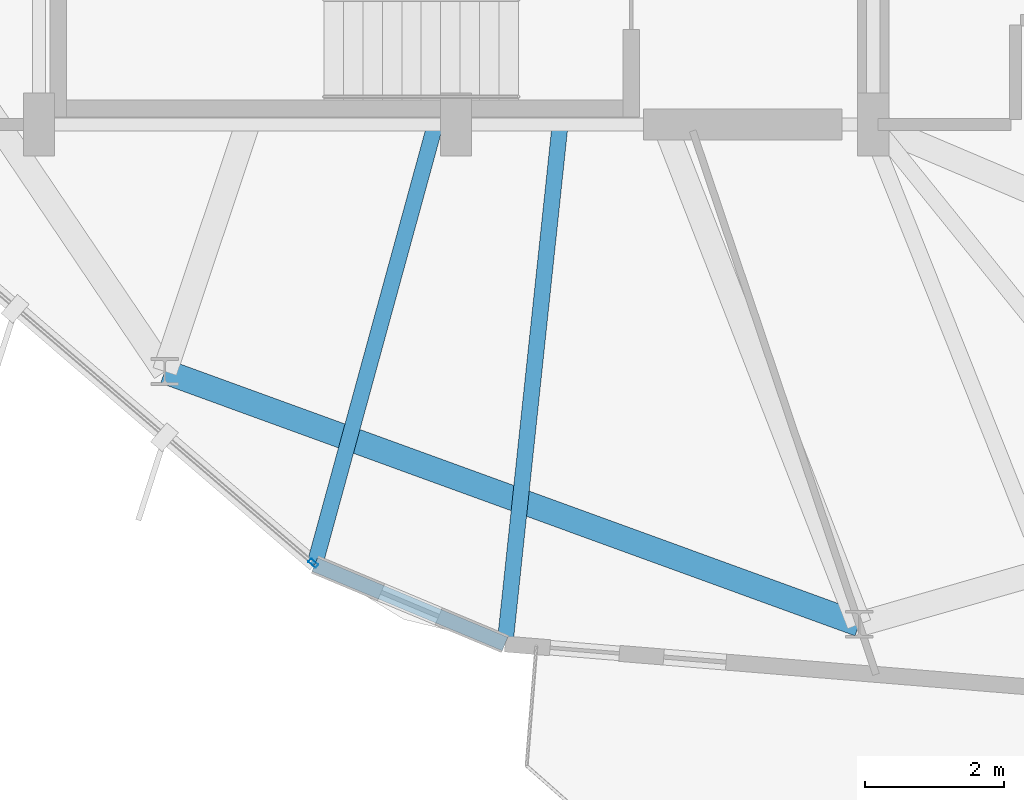
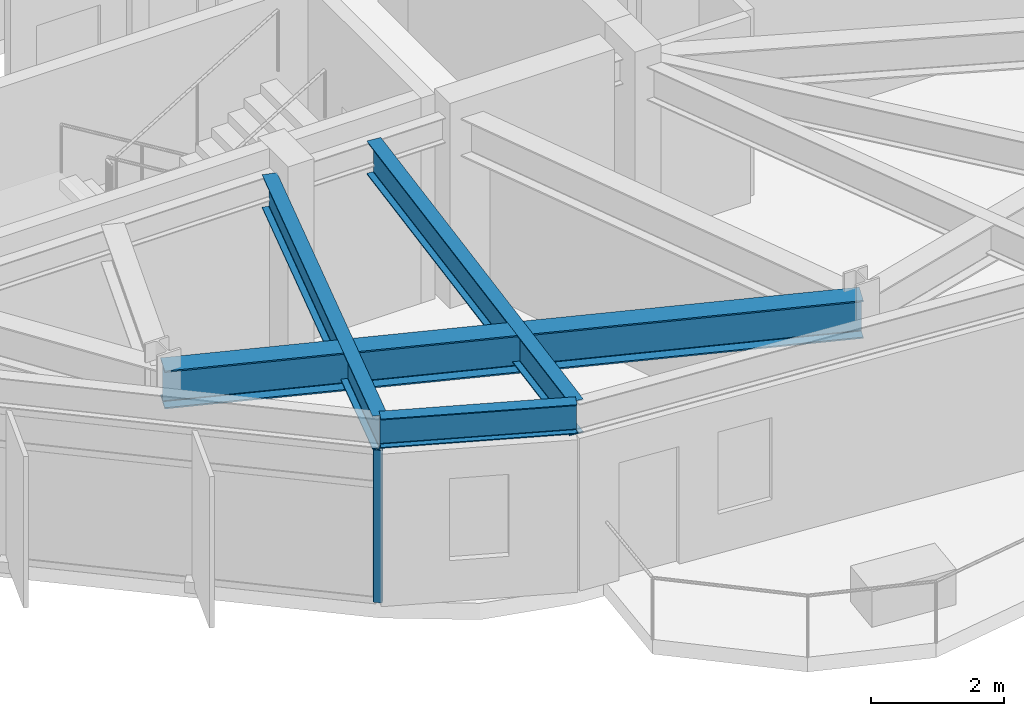
# One storey, part 2 of 23: 4 beams, 1 member, 1 element without a shape of its own.
"""IFC4 building model written with IfcOpenShell, lengths in metres."""

import ifcopenshell
import ifcopenshell.guid

model = None  # the IFC model being written
_history = None  # IfcOwnerHistory: only IFC2X3 demands one
_inside = {}  # id of a spatial element -> (the spatial element, [elements in it])
_under = {}  # id of a project, library or spatial element -> (it, [spatial elements below it])
_declared = {}  # id of a project -> (the project, [libraries it declares])
_typed = {}  # id of a type object -> (the type object, [elements of that type])
_made_of = {}  # id of a material, layer set ... -> (it, [elements and type objects made of it])


def new_model(schema):
    """Start an empty IFC model of exactly this schema.

    Asked for "IFC4X3", IfcOpenShell would pick the latest addendum, in which some entities
    have other attributes; the version numbers below select the first issue.
    IFC2X3 requires an IfcOwnerHistory on every rooted entity: one is made here for all.
    """
    global model, _history
    if schema == "IFC4X3":
        model = ifcopenshell.file(schema_version=(4, 3, 0, 0))
    else:
        model = ifcopenshell.file(schema=schema)
    _inside.clear()
    _under.clear()
    _declared.clear()
    _typed.clear()
    _made_of.clear()
    _history = None
    if model.schema == "IFC2X3":
        org = make("IfcOrganization", Name="unknown")
        user = make(
            "IfcPersonAndOrganization",
            ThePerson=make("IfcPerson", FamilyName="unknown"),
            TheOrganization=org,
        )
        app = make(
            "IfcApplication",
            ApplicationDeveloper=org,
            Version="unknown",
            ApplicationFullName="unknown",
            ApplicationIdentifier="unknown",
        )
        _history = make(
            "IfcOwnerHistory",
            OwningUser=user,
            OwningApplication=app,
            ChangeAction="ADDED",
            CreationDate=0,
        )
    return model


def make(cls, **values):
    """One entity of the class cls with the attributes given. An attribute that is None is left unset."""
    return model.create_entity(
        cls, **{name: value for name, value in values.items() if value is not None}
    )


def rooted(cls, **values):
    """An entity with a GlobalId (a new one), such as an element, a storey or a relation."""
    return make(cls, GlobalId=ifcopenshell.guid.new(), OwnerHistory=_history, **values)


def si_unit(unit_type, name, prefix=None):
    """IfcSIUnit, for example si_unit("LENGTHUNIT", "METRE", prefix="MILLI")."""
    return make("IfcSIUnit", UnitType=unit_type, Prefix=prefix, Name=name)


def assignment(units):
    """IfcUnitAssignment: the units of a project."""
    return None if units is None else make("IfcUnitAssignment", Units=units)


def point(xyz):
    """IfcCartesianPoint."""
    return None if xyz is None else make("IfcCartesianPoint", Coordinates=xyz)


def direction(xyz):
    """IfcDirection."""
    return None if xyz is None else make("IfcDirection", DirectionRatios=xyz)


def frame(location, z_axis=None, x_axis=None):
    """IfcAxis2Placement3D, a coordinate frame: its origin and axes. An axis left out is left unset."""
    return make(
        "IfcAxis2Placement3D",
        Location=point(location),
        Axis=direction(z_axis),
        RefDirection=direction(x_axis),
    )


def frame_2d(location, x_axis=None):
    """IfcAxis2Placement2D, a coordinate frame in the plane: its origin and x axis."""
    return make(
        "IfcAxis2Placement2D", Location=point(location), RefDirection=direction(x_axis)
    )


def origin():
    """The frame at (0, 0, 0) with its axes left unset."""
    return frame((0.0, 0.0, 0.0))


def origin_2d():
    """The frame at (0, 0) in the plane with its x axis left unset."""
    return frame_2d((0.0, 0.0))


def place(relative_to, where):
    """IfcLocalPlacement: puts the frame where relative to a parent placement (None: the world)."""
    return make(
        "IfcLocalPlacement", PlacementRelTo=relative_to, RelativePlacement=where
    )


def context(
    kind, dimensions, precision=None, world=None, true_north=None, identifier=None
):
    """IfcGeometricRepresentationContext, for example the 3D "Model" context."""
    return make(
        "IfcGeometricRepresentationContext",
        ContextIdentifier=identifier,
        ContextType=kind,
        CoordinateSpaceDimension=dimensions,
        Precision=precision,
        WorldCoordinateSystem=world,
        TrueNorth=true_north,
    )


def subcontext(parent, identifier, kind, view, scale=None):
    """IfcGeometricRepresentationSubContext, for example "Body" below "Model"."""
    return make(
        "IfcGeometricRepresentationSubContext",
        ContextIdentifier=identifier,
        ContextType=kind,
        ParentContext=parent,
        TargetScale=scale,
        TargetView=view,
    )


def project(units=None, contexts=None):
    """IfcProject with its units and contexts."""
    return rooted(
        "IfcProject",
        Name="project",
        RepresentationContexts=contexts,
        UnitsInContext=assignment(units),
    )


def spatial(cls, under=None, at=None, **own):
    """A site, building, storey or space (cls), placed at a placement, below another one or the project."""
    s = rooted(cls, ObjectPlacement=at, **own)
    if under is not None:
        _under.setdefault(under.id(), (under, []))[1].append(s)
    return s


def profile(cls, at=None, kind="AREA", **sizes):
    """A parametric profile (cls). Its sizes go by their IFC names, for example OverallWidth=200.0."""
    return make(cls, ProfileType=kind, Position=at, **sizes)


def hollow_rectangle(**sizes):
    """IfcRectangleHollowProfileDef."""
    return profile("IfcRectangleHollowProfileDef", **sizes)


def i_section(**sizes):
    """IfcIShapeProfileDef."""
    return profile("IfcIShapeProfileDef", **sizes)


def extrude(swept, where, along, depth):
    """IfcExtrudedAreaSolid: the profile swept, set in the frame where, extruded along a direction by depth."""
    return make(
        "IfcExtrudedAreaSolid",
        SweptArea=swept,
        Position=where,
        ExtrudedDirection=direction(along),
        Depth=depth,
    )


def shape(context_of_items, identifier, shape_type, items):
    """IfcShapeRepresentation: the items that make up one representation, for example the "Body"."""
    return make(
        "IfcShapeRepresentation",
        ContextOfItems=context_of_items,
        RepresentationIdentifier=identifier,
        RepresentationType=shape_type,
        Items=items,
    )


def material(Name=None, Category=None):
    """IfcMaterial."""
    return make("IfcMaterial", Name=Name, Category=Category)


def layer(
    of_material, thickness, ventilated=None, Name=None, Category=None, Priority=None
):
    """IfcMaterialLayer: one layer of a wall or slab, of a material (None: an air gap)."""
    return make(
        "IfcMaterialLayer",
        Material=of_material,
        LayerThickness=thickness,
        IsVentilated=ventilated,
        Name=Name,
        Category=Category,
        Priority=Priority,
    )


def layer_set(layers, Name=None):
    """IfcMaterialLayerSet."""
    return make("IfcMaterialLayerSet", MaterialLayers=layers, LayerSetName=Name)


def material_profile(
    of_material, cross_section, Name=None, Category=None, Priority=None
):
    """IfcMaterialProfile: a cross section and its material."""
    return make(
        "IfcMaterialProfile",
        Name=Name,
        Material=of_material,
        Profile=cross_section,
        Priority=Priority,
        Category=Category,
    )


def profile_set(profiles, Name=None, composite=None):
    """IfcMaterialProfileSet."""
    return make(
        "IfcMaterialProfileSet",
        Name=Name,
        MaterialProfiles=profiles,
        CompositeProfile=composite,
    )


def made_of(thing, what):
    """Note that an element or type object is made of a material, layer set ...; save() writes the relation."""
    if what is not None:
        _made_of.setdefault(what.id(), (what, []))[1].append(thing)
    return thing


def type_object(cls, material=None, **own):
    """A type object (cls), such as IfcWallType, which elements share."""
    return made_of(rooted(cls, **own), material)


def element(
    cls,
    number,
    at=None,
    inside=None,
    cuts=None,
    type_object=None,
    material=None,
    context=None,
    identifier="Body",
    shape_type=None,
    held_by="IfcProductDefinitionShape",
    body=None,
    shapes=None,
    **own,
):
    """One element of the class cls, such as IfcWall. Its Tag is "e" and its number.

    at: its placement. inside: the storey or other place that contains it. cuts: it is an
    opening in that element (IfcRelVoidsElement). A single representation is given by context,
    identifier, shape_type and body (its items); several are given by shapes. held_by: the class
    of the entity that holds the representations. save() writes the other relations.
    """
    e = rooted(cls, Tag="e%d" % number, ObjectPlacement=at, **own)
    if body is not None:
        shapes = [shape(context, identifier, shape_type, body)]
    if shapes is not None:
        e.Representation = make(held_by, Representations=shapes)
    if inside is not None:
        _inside.setdefault(inside.id(), (inside, []))[1].append(e)
    if cuts is not None:
        rooted(
            "IfcRelVoidsElement", RelatingBuildingElement=cuts, RelatedOpeningElement=e
        )
    if type_object is not None:
        _typed.setdefault(type_object.id(), (type_object, []))[1].append(e)
    return made_of(e, material)


def aggregate(whole, parts):
    """IfcRelAggregates: a whole, such as a stair, and the parts it consists of."""
    return rooted("IfcRelAggregates", RelatingObject=whole, RelatedObjects=parts)


def save(model, path):
    """Write the relations noted so far, then the file.

    IfcRelAggregates (storeys below a building ...), IfcRelContainedInSpatialStructure (elements
    in a storey), IfcRelDefinesByType, IfcRelAssociatesMaterial and IfcRelDeclares: one each for
    every whole, place, type object, material and project.
    """
    for whole, parts in _under.values():
        aggregate(whole, parts)
    for where, things in _inside.values():
        rooted(
            "IfcRelContainedInSpatialStructure",
            RelatedElements=things,
            RelatingStructure=where,
        )
    for kind, things in _typed.values():
        rooted("IfcRelDefinesByType", RelatedObjects=things, RelatingType=kind)
    for what, things in _made_of.values():
        rooted("IfcRelAssociatesMaterial", RelatedObjects=things, RelatingMaterial=what)
    for by, libraries in _declared.values():
        rooted("IfcRelDeclares", RelatingContext=by, RelatedDefinitions=libraries)
    model.write(path)


model = new_model("IFC4")

# Units and contexts
model_context = context("Model", 3, precision=1e-05, world=origin(), true_north=direction((0.0, 1.0)))
body_context = subcontext(model_context, "Body", "Model", "MODEL_VIEW")
ifc_project = project(units=[si_unit("LENGTHUNIT", "METRE"), si_unit("AREAUNIT", "SQUARE_METRE"), si_unit("VOLUMEUNIT", "CUBIC_METRE"), si_unit("PLANEANGLEUNIT", "RADIAN"), si_unit("MASSUNIT", "GRAM", prefix="KILO")], contexts=[model_context])

# Site, building, storey
site_placement = place(None, origin())
site = spatial("IfcSite", under=ifc_project, at=site_placement, CompositionType="ELEMENT")
building_placement = place(site_placement, origin())
building = spatial("IfcBuilding", under=site, at=building_placement, Name="Soratama Intermodal Tower", CompositionType="ELEMENT")
storey_placement = place(building_placement, frame((0.0, 0.0, 280.0)))
storey = spatial("IfcBuildingStorey", under=building, at=storey_placement, Name="L71", CompositionType="ELEMENT", Elevation=280.0)

# Beams
ifc_material_1 = material(Name="Structural steel ASTM A992 Grade 50", Category="steel")
ifc_material_profile_1 = material_profile(ifc_material_1, i_section(OverallWidth=0.35498046875, OverallDepth=0.695068359375, WebThickness=0.015380859375, FlangeThickness=0.02490234375, FilletRadius=0.01611328125, at=origin_2d()), Name="W27X146")
ifc_profile_set_1 = profile_set([ifc_material_profile_1], Name="Structural steel ASTM A992 Grade 50")
beam_type_1 = type_object("IfcBeamType", Name="BM-RING-W27X146", PredefinedType="BEAM", material=ifc_profile_set_1)
beam_1_placement = place(storey_placement, frame((34.410888671875, 11.446044921875, 3.0625), z_axis=(0.939713598519, -0.341962501976, 0.0), x_axis=(0.341962501976, 0.939713598519, 0.0)))
element("IfcBeam", 1, at=beam_1_placement, inside=storey, type_object=beam_type_1, Name="BM-L71-RING-07", PredefinedType="BEAM", context=body_context, shape_type="SweptSolid", body=[
    extrude(i_section(OverallWidth=0.35498046875, OverallDepth=0.695068359375, WebThickness=0.015380859375, FlangeThickness=0.02490234375, FilletRadius=0.01611328125, at=origin_2d()), origin(), (0.0, 0.0, 1.0), 10.6298828125),
])
ifc_material_2 = material(Name="Structural steel ASTM A992 Grade 50", Category="steel")
ifc_material_profile_2 = material_profile(ifc_material_2, i_section(OverallWidth=0.2099609375, OverallDepth=0.537109375, WebThickness=0.010986328125, FlangeThickness=0.017333984375, FilletRadius=0.012939453125, at=origin_2d()), Name="W21X68")
ifc_profile_set_2 = profile_set([ifc_material_profile_2], Name="Structural steel ASTM A992 Grade 50")
beam_type_2 = type_object("IfcBeamType", Name="BM-SPN-W21X68", PredefinedType="SPANDREL", material=ifc_profile_set_2)
beam_2_placement = place(storey_placement, frame((36.568115234375, 8.669921875, 3.1416015625), z_axis=(0.922779525188, -0.385328363729, 0.0), x_axis=(0.385328363729, 0.922779525188, 0.0)))
element("IfcBeam", 2, at=beam_2_placement, inside=storey, type_object=beam_type_2, Name="BS-L71-CRN05", PredefinedType="SPANDREL", context=body_context, shape_type="SweptSolid", body=[
    extrude(i_section(OverallWidth=0.2099609375, OverallDepth=0.537109375, WebThickness=0.010986328125, FlangeThickness=0.017333984375, FilletRadius=0.012939453125, at=origin_2d()), origin(), (0.0, 0.0, 1.0), 2.9658203125),
])
ifc_material_3 = material(Name="Structural steel ASTM A992 Grade 50", Category="steel")
ifc_material_profile_3 = material_profile(ifc_material_3, i_section(OverallWidth=0.22900390625, OverallDepth=0.612060546875, WebThickness=0.011962890625, FlangeThickness=0.01953125, FilletRadius=0.012939453125, at=origin_2d()), Name="W24X84")
ifc_profile_set_3 = profile_set([ifc_material_profile_3], Name="Structural steel ASTM A992 Grade 50")
beam_type_3 = type_object("IfcBeamType", Name="BM-TIE-W24X84", PredefinedType="BEAM", material=ifc_profile_set_3)
beam_3_placement = place(storey_placement, frame((38.2900390625, 14.9609375, 3.10400390625), z_axis=(-0.26400095533, -0.964522418394, 0.0), x_axis=(0.964522418394, -0.26400095533, 0.0)))
element("IfcBeam", 3, at=beam_3_placement, inside=storey, type_object=beam_type_3, Name="BM-L71-TIE1-05", PredefinedType="BEAM", context=body_context, shape_type="SweptSolid", body=[
    extrude(i_section(OverallWidth=0.22900390625, OverallDepth=0.612060546875, WebThickness=0.011962890625, FlangeThickness=0.01953125, FilletRadius=0.012939453125, at=origin_2d()), origin(), (0.0, 0.0, 1.0), 6.5224609375),
])
beam_4_placement = place(storey_placement, frame((40.093017578125, 14.9599609375, 3.10400390625), z_axis=(-0.105436272868, -0.994426061788, 0.0), x_axis=(0.994426061788, -0.105436272868, 0.0)))
element("IfcBeam", 4, at=beam_4_placement, inside=storey, type_object=beam_type_3, Name="BM-L71-TIE0-06", PredefinedType="BEAM", context=body_context, shape_type="SweptSolid", body=[
    extrude(i_section(OverallWidth=0.22900390625, OverallDepth=0.612060546875, WebThickness=0.011962890625, FlangeThickness=0.01953125, FilletRadius=0.012939453125, at=origin_2d()), origin(), (0.0, 0.0, 1.0), 7.474609375),
])

# Curtain wall, member
ifc_material_4 = material(Name="Double-glazed aluminium curtain wall", Category="aluminium")
ifc_layer = layer(ifc_material_4, 0.159912109375)
ifc_layer_set = layer_set([ifc_layer], Name="Double-glazed aluminium curtain wall")
curtain_wall_type = type_object("IfcCurtainWallType", Name="CW-SYS-5", PredefinedType="NOTDEFINED", material=ifc_layer_set)
curtain_wall_placement = place(storey_placement, origin())
curtain_wall = element("IfcCurtainWall", 5, at=curtain_wall_placement, inside=storey, type_object=curtain_wall_type, Name="L71 Faceted Curtain Wall F05", PredefinedType="NOTDEFINED")
ifc_material_5 = material(Name="Anodised aluminium AA 6063-T6", Category="aluminium")
ifc_material_profile_4 = material_profile(ifc_material_5, hollow_rectangle(XDim=0.06494140625, YDim=0.139892578125, WallThickness=0.0048828125, InnerFilletRadius=0.0048828125, OuterFilletRadius=0.010009765625, at=origin_2d()), Name="CWM140X65X5")
ifc_profile_set_4 = profile_set([ifc_material_profile_4], Name="Anodised aluminium AA 6063-T6")
member_type = type_object("IfcMemberType", Name="MT-CWM-5", PredefinedType="MULLION", material=ifc_profile_set_4)
member_placement = place(storey_placement, frame((36.545654296875, 8.68994140625, 0.0), z_axis=(0.0, 0.0, 1.0), x_axis=(0.651825531412, 0.758368958093, 0.0)))
member = element("IfcMember", 6, at=member_placement, type_object=member_type, Name="CW-5 mullion 2", PredefinedType="MULLION", context=body_context, shape_type="SweptSolid", body=[
    extrude(hollow_rectangle(XDim=0.06494140625, YDim=0.139892578125, WallThickness=0.0048828125, InnerFilletRadius=0.0048828125, OuterFilletRadius=0.010009765625, at=origin_2d()), origin(), (0.0, 0.0, 1.0), 2.7890625),
])
aggregate(curtain_wall, [member])

save(model, "model.ifc")
